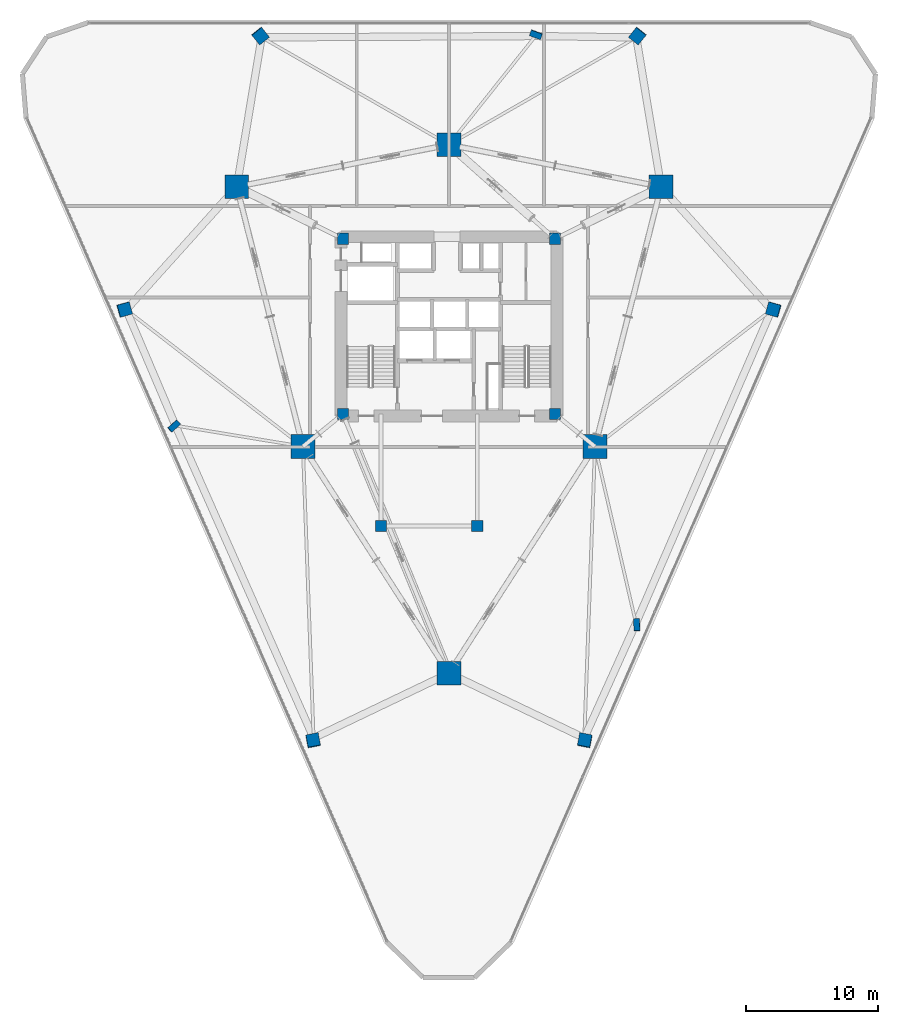
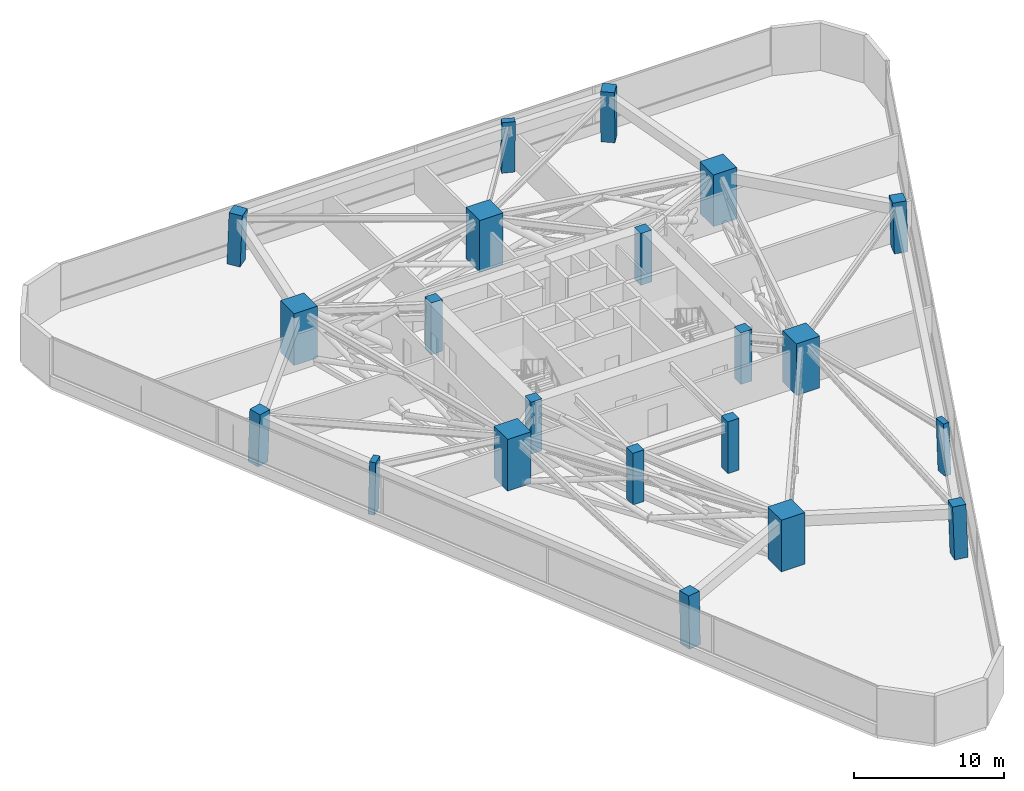
# One storey, part 1 of 20: 21 columns.
"""IFC4 building model written with IfcOpenShell, lengths in metres."""

from ifc_helpers import new_model, si_unit, direction, frame, origin, origin_2d, place, context, subcontext, project, spatial, rectangle, extrude, material, material_profile, profile_set, type_object, element, save


model = new_model("IFC4")

# Units and contexts
model_context = context("Model", 3, precision=1e-05, world=origin(), true_north=direction((0.0, 1.0)))
body_context = subcontext(model_context, "Body", "Model", "MODEL_VIEW")
ifc_project = project(units=[si_unit("LENGTHUNIT", "METRE"), si_unit("AREAUNIT", "SQUARE_METRE"), si_unit("VOLUMEUNIT", "CUBIC_METRE"), si_unit("PLANEANGLEUNIT", "RADIAN"), si_unit("MASSUNIT", "GRAM", prefix="KILO")], contexts=[model_context])

# Site, building, storey
site_placement = place(None, origin())
site = spatial("IfcSite", under=ifc_project, at=site_placement, CompositionType="ELEMENT")
building_placement = place(site_placement, origin())
building = spatial("IfcBuilding", under=site, at=building_placement, Name="Talyreon Biosciences Tower", CompositionType="ELEMENT")
storey_placement = place(building_placement, frame((0.0, 0.0, 66.60009765625)))
storey = spatial("IfcBuildingStorey", under=building, at=storey_placement, Name="L17", CompositionType="ELEMENT", Elevation=66.60009765625)

# Columns
ifc_material_1 = material(Name="Precast concrete C45/55", Category="concrete")
ifc_material_profile_1 = material_profile(ifc_material_1, rectangle(XDim=0.89990234375, YDim=0.449951171875, at=origin_2d()), Name="RC 900x450")
ifc_profile_set_1 = profile_set([ifc_material_profile_1], Name="Precast concrete C45/55")
column_type_1 = type_object("IfcColumnType", Name="FacadePilaster_900x450", PredefinedType="PILASTER", material=ifc_profile_set_1)
column_1_placement = place(storey_placement, frame((80.2666015625, 45.326416015625, 0.0029296875), z_axis=(-0.017043751873, 0.033331296325, 0.999299021919), x_axis=(0.059879011337, -0.99761628778, 0.034296448176)))
element("IfcColumn", 1, at=column_1_placement, inside=storey, type_object=column_type_1, Name="L17 Facade Pilaster PL-SE", PredefinedType="PILASTER", context=body_context, shape_type="SweptSolid", body=[
    extrude(rectangle(XDim=0.89990234375, YDim=0.449951171875, at=origin_2d()), origin(), (0.0, 0.0, 1.0), 4.197021484375),
])
column_2_placement = place(storey_placement, frame((72.609130859375, 90.1591796875, 0.0029296875), z_axis=(-0.010763780112, -0.0290912976, 0.999518802946), x_axis=(-0.937861842681, 0.347008881792, 0.0)))
element("IfcColumn", 2, at=column_2_placement, inside=storey, type_object=column_type_1, Name="L17 Facade Pilaster PL-N", PredefinedType="PILASTER", context=body_context, shape_type="SweptSolid", body=[
    extrude(rectangle(XDim=0.89990234375, YDim=0.449951171875, at=origin_2d()), origin(), (0.0, 0.0, 1.0), 4.196044921875),
])
column_3_placement = place(storey_placement, frame((45.124267578125, 60.4306640625, 0.0029296875), z_axis=(0.027812744233, 0.00913514821, 0.999571408317), x_axis=(0.744918389026, 0.666616318225, -0.026819358049)))
element("IfcColumn", 3, at=column_3_placement, inside=storey, type_object=column_type_1, Name="L17 Facade Pilaster PL-SW", PredefinedType="PILASTER", context=body_context, shape_type="SweptSolid", body=[
    extrude(rectangle(XDim=0.89990234375, YDim=0.449951171875, at=origin_2d()), origin(), (0.0, 0.0, 1.0), 4.19580078125),
])
ifc_material_2 = material(Name="Concrete C60/75", Category="concrete")
ifc_material_profile_2 = material_profile(ifc_material_2, rectangle(XDim=1.800048828125, YDim=1.800048828125, at=origin_2d()), Name="RC 1800x1800")
ifc_profile_set_2 = profile_set([ifc_material_profile_2], Name="Concrete C60/75")
column_type_2 = type_object("IfcColumnType", Name="MegaColumn_1800", PredefinedType="COLUMN", material=ifc_profile_set_2)
for number, where, z_axis, x_axis, name in (
    (4, (66.0, 41.6669921875, 0.0), (0.0, 0.0, 1.0), (1.0, 0.0, 0.0), "L17 Composite Mega-Column MC1"),
    (5, (82.102294921875, 78.5986328125, 0.0), (0.0, 0.0, 1.0), (1.0, 0.0, 0.0), "L17 Composite Mega-Column MC2"),
    (6, (49.897705078125, 78.5986328125, 0.0), (0.0, 0.0, 1.0), (1.0, 0.0, 0.0), "L17 Composite Mega-Column MC3"),
    (7, (77.086181640625, 58.88037109375, 0.0), (0.0, 0.0, 1.0), (1.0, 0.0, 0.0), "L17 Composite Mega-Column MC4"),
    (8, (66.0, 81.788818359375, 0.0), (0.0, 0.0, 1.0), (1.0, 0.0, 0.0), "L17 Composite Mega-Column MC5"),
    (9, (54.913818359375, 58.88037109375, 0.0), (0.0, 0.0, 1.0), (1.0, 0.0, 0.0), "L17 Composite Mega-Column MC6"),
):
    element("IfcColumn", number, at=place(storey_placement, frame(where, z_axis=z_axis, x_axis=x_axis)), inside=storey, type_object=column_type_2, Name=name, PredefinedType="COLUMN", context=body_context, shape_type="SweptSolid", body=[
        extrude(rectangle(XDim=1.800048828125, YDim=1.800048828125, at=origin_2d()), origin(), (0.0, 0.0, 1.0), 4.199951171875),
    ])
ifc_material_profile_3 = material_profile(ifc_material_2, rectangle(XDim=0.85009765625, YDim=0.85009765625, at=origin_2d()), Name="RC 850x850")
ifc_profile_set_3 = profile_set([ifc_material_profile_3], Name="Concrete C60/75")
column_type_3 = type_object("IfcColumnType", Name="PerimeterColumn_850", PredefinedType="COLUMN", material=ifc_profile_set_3)
for number, where, z_axis, x_axis, name in (
    (10, (57.949951171875, 61.35009765625, 0.0), (0.0, 0.0, 1.0), (1.0, 0.0, 0.0), "L17 Core Column CC1"),
    (11, (74.050048828125, 61.35009765625, 0.0), (0.0, 0.0, 1.0), (1.0, 0.0, 0.0), "L17 Core Column CC2"),
    (12, (74.050048828125, 74.64990234375, 0.0), (0.0, 0.0, 1.0), (1.0, 0.0, 0.0), "L17 Core Column CC3"),
    (13, (57.949951171875, 74.64990234375, 0.0), (0.0, 0.0, 1.0), (1.0, 0.0, 0.0), "L17 Core Column CC4"),
    (14, (60.85009765625, 52.840087890625, 0.0), (0.0, 0.0, 1.0), (1.0, 0.0, 0.0), "L17 Core Column CSW"),
    (15, (68.14990234375, 52.840087890625, 0.0), (0.0, 0.0, 1.0), (1.0, 0.0, 0.0), "L17 Core Column CSE"),
):
    element("IfcColumn", number, at=place(storey_placement, frame(where, z_axis=z_axis, x_axis=x_axis)), inside=storey, type_object=column_type_3, Name=name, PredefinedType="COLUMN", context=body_context, shape_type="SweptSolid", body=[
        extrude(rectangle(XDim=0.85009765625, YDim=0.85009765625, at=origin_2d()), origin(), (0.0, 0.0, 1.0), 4.199951171875),
    ])
ifc_material_profile_4 = material_profile(ifc_material_2, rectangle(XDim=0.949951171875, YDim=0.949951171875, at=origin_2d()), Name="RC 950x950")
ifc_profile_set_4 = profile_set([ifc_material_profile_4], Name="Concrete C60/75")
column_type_4 = type_object("IfcColumnType", Name="PerimeterColumn_950", PredefinedType="COLUMN", material=ifc_profile_set_4)
column_4_placement = place(storey_placement, frame((76.319580078125, 36.555908203125, 0.0029296875), z_axis=(-0.010756270952, 0.047327592189, 0.998821506403), x_axis=(-0.188113184279, -0.981140347413, 0.044464014419)))
element("IfcColumn", 16, at=column_4_placement, inside=storey, type_object=column_type_4, Name="L17 Tapering Perimeter Column PC-SE1", PredefinedType="COLUMN", context=body_context, shape_type="SweptSolid", body=[
    extrude(rectangle(XDim=0.949951171875, YDim=0.949951171875, at=origin_2d()), origin(), (0.0, 0.0, 1.0), 4.198974609375),
])
column_5_placement = place(storey_placement, frame((90.639404296875, 69.281494140625, 0.0029296875), z_axis=(-0.034091179507, -0.004886790236, 0.999406779425), x_axis=(0.963206562634, -0.266903794606, 0.031551261829)))
element("IfcColumn", 17, at=column_5_placement, inside=storey, type_object=column_type_4, Name="L17 Tapering Perimeter Column PC-SE2", PredefinedType="COLUMN", context=body_context, shape_type="SweptSolid", body=[
    extrude(rectangle(XDim=0.949951171875, YDim=0.949951171875, at=origin_2d()), origin(), (0.0, 0.0, 1.0), 4.196533203125),
])
for number, where, z_axis, x_axis, name in (
    (18, (80.320068359375, 90.059326171875, 0.0029296875), (-0.023384322481, -0.029143148167, 0.999301681364), (-0.779956681152, 0.625833504637, 0.0), "L17 Tapering Perimeter Column PC-N1"),
    (19, (51.679931640625, 90.059326171875, 0.0029296875), (0.023384322481, -0.029143148167, 0.999301681364), (-0.779956681152, -0.625833504637, 0.0), "L17 Tapering Perimeter Column PC-N2"),
):
    element("IfcColumn", number, at=place(storey_placement, frame(where, z_axis=z_axis, x_axis=x_axis)), inside=storey, type_object=column_type_4, Name=name, PredefinedType="COLUMN", context=body_context, shape_type="SweptSolid", body=[
        extrude(rectangle(XDim=0.949951171875, YDim=0.949951171875, at=origin_2d()), origin(), (0.0, 0.0, 1.0), 4.197021484375),
    ])
column_6_placement = place(storey_placement, frame((41.360595703125, 69.281494140625, 0.0029296875), z_axis=(0.034091179507, -0.004886790236, 0.999406779425), x_axis=(0.963206562634, 0.266903794606, -0.031551261829)))
element("IfcColumn", 20, at=column_6_placement, inside=storey, type_object=column_type_4, Name="L17 Tapering Perimeter Column PC-SW1", PredefinedType="COLUMN", context=body_context, shape_type="SweptSolid", body=[
    extrude(rectangle(XDim=0.949951171875, YDim=0.949951171875, at=origin_2d()), origin(), (0.0, 0.0, 1.0), 4.196533203125),
])
column_7_placement = place(storey_placement, frame((55.680419921875, 36.555908203125, 0.0029296875), z_axis=(0.010756270952, 0.047327592189, 0.998821506403), x_axis=(-0.188113184279, 0.981140347413, -0.044464014419)))
element("IfcColumn", 21, at=column_7_placement, inside=storey, type_object=column_type_4, Name="L17 Tapering Perimeter Column PC-SW2", PredefinedType="COLUMN", context=body_context, shape_type="SweptSolid", body=[
    extrude(rectangle(XDim=0.949951171875, YDim=0.949951171875, at=origin_2d()), origin(), (0.0, 0.0, 1.0), 4.198974609375),
])

save(model, "model.ifc")
